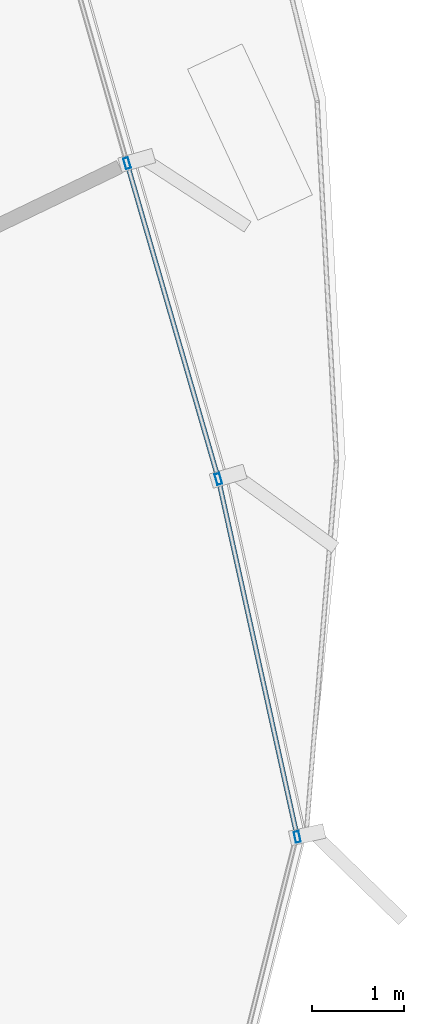
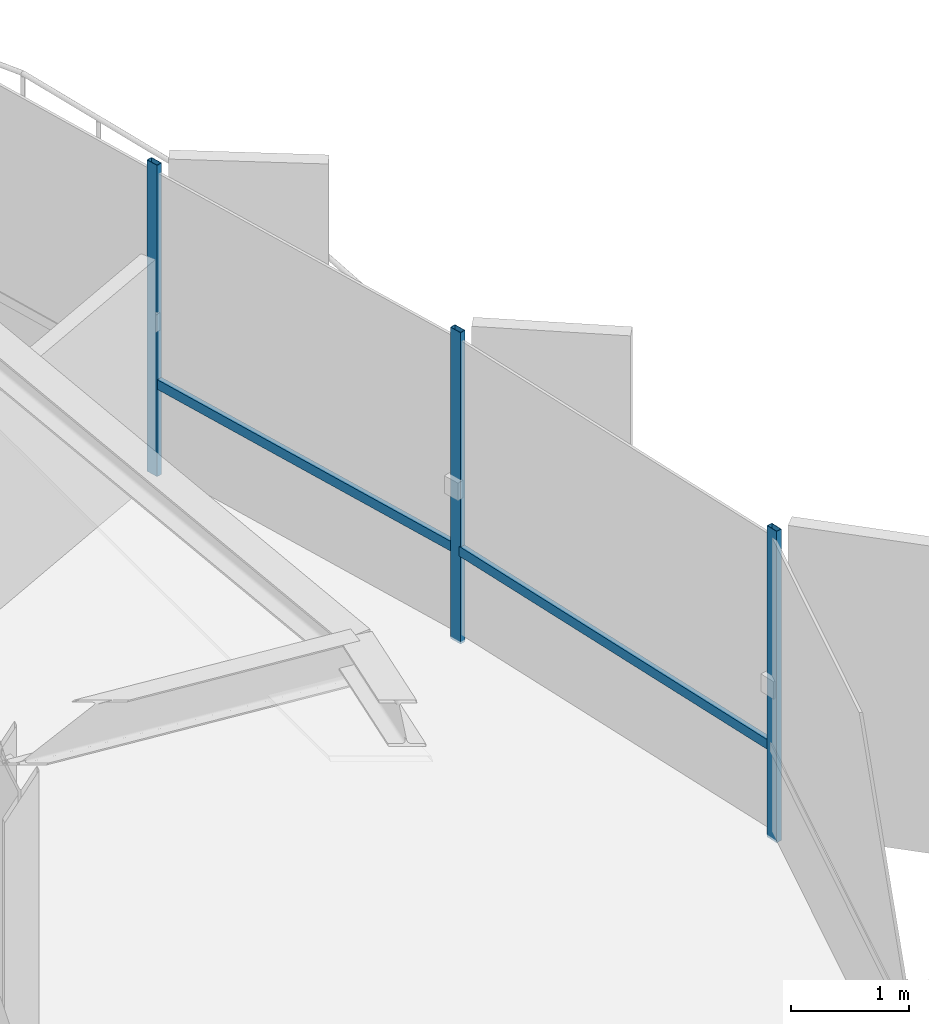
# One storey, part 17 of 34: 5 members, 1 element without a shape of its own.
"""IFC4 building model written with IfcOpenShell, lengths in metres."""

from ifc_helpers import new_model, si_unit, direction, frame, origin, origin_2d, place, context, subcontext, project, spatial, hollow_rectangle, extrude, source, transform, mapped, material, layer, layer_set, material_profile, profile_set, type_object, element, aggregate, save


model = new_model("IFC4")

# Units and contexts
model_context = context("Model", 3, precision=1e-05, world=origin(), true_north=direction((0.0, 1.0)))
body_context = subcontext(model_context, "Body", "Model", "MODEL_VIEW")
ifc_project = project(units=[si_unit("LENGTHUNIT", "METRE"), si_unit("AREAUNIT", "SQUARE_METRE"), si_unit("VOLUMEUNIT", "CUBIC_METRE"), si_unit("PLANEANGLEUNIT", "RADIAN"), si_unit("MASSUNIT", "GRAM", prefix="KILO"), si_unit("THERMODYNAMICTEMPERATUREUNIT", "KELVIN")], contexts=[model_context])

# Site, building, storey
site_placement = place(None, origin())
site = spatial("IfcSite", under=ifc_project, at=site_placement, CompositionType="ELEMENT")
building_placement = place(site_placement, origin())
building = spatial("IfcBuilding", under=site, at=building_placement, Name="Kethvar Cultural Tower", CompositionType="ELEMENT")
storey_placement = place(building_placement, frame((0.0, 0.0, 231.85009765625)))
storey = spatial("IfcBuildingStorey", under=building, at=storey_placement, Name="L60", CompositionType="ELEMENT", Elevation=231.85009765625)

# Curtain wall, members
ifc_material = material(Name="Aluminium 6063-T6", Category="aluminium")
ifc_layer = layer(ifc_material, 0.179931640625, Name="Aluminium 6063-T6", Category="aluminium")
ifc_layer_set = layer_set([ifc_layer], Name="Aluminium 6063-T6 (180 mm)")
curtain_wall_type = type_object("IfcCurtainWallType", Name="CW-SYS-05-Z56", PredefinedType="NOTDEFINED", material=ifc_layer_set)
curtain_wall_placement = place(storey_placement, origin())
curtain_wall = element("IfcCurtainWall", 1, at=curtain_wall_placement, inside=storey, type_object=curtain_wall_type, Name="L60 Curtain Wall Run 06", PredefinedType="NOTDEFINED")
ifc_material_profile_1 = material_profile(ifc_material, hollow_rectangle(XDim=0.054931640625, YDim=0.1201171875, WallThickness=0.00390625, at=origin_2d()), Name="Aluminium 6063-T6 — RHS120x55x4")
ifc_profile_set_1 = profile_set([ifc_material_profile_1], Name="Aluminium 6063-T6 — RHS120x55x4")
member_type_1 = type_object("IfcMemberType", Name="CW-SYS-05-Z56-MUL", PredefinedType="MULLION", material=ifc_profile_set_1)
shared_shape_1 = source(origin(), body_context, "Body", "SweptSolid", [
    extrude(hollow_rectangle(XDim=0.054931640625, YDim=0.1201171875, WallThickness=0.00390625, at=origin_2d()), origin(), (0.0, 0.0, 1.0), 3.2099609375),
])
member_1_placement = place(storey_placement, frame((68.275146484375, 29.9453125, 0.0), z_axis=(0.0, 0.0, 1.0), x_axis=(-0.976559709305, -0.215246682117, 0.0)))
member_1 = element("IfcMember", 2, at=member_1_placement, type_object=member_type_1, Name="CW-L60-R06 Mullion 2", PredefinedType="MULLION", context=body_context, shape_type="MappedRepresentation", body=[
    mapped(shared_shape_1, transform((0.0, 0.0, 0.0), scale=1.0)),
])
member_2_placement = place(storey_placement, frame((67.42236328125, 33.81494140625, 0.0), z_axis=(0.0, 0.0, 1.0), x_axis=(-0.960619273033, -0.277867976343, 0.0)))
member_2 = element("IfcMember", 3, at=member_2_placement, type_object=member_type_1, Name="CW-L60-R06 Mullion 3", PredefinedType="MULLION", context=body_context, shape_type="MappedRepresentation", body=[
    mapped(shared_shape_1, transform((0.0, 0.0, 0.0), scale=1.0)),
])
member_3_placement = place(storey_placement, frame((66.4345703125, 37.230224609375, 0.0), z_axis=(0.0, 0.0, 1.0), x_axis=(-0.961655195264, -0.274261345111, 0.0)))
member_3 = element("IfcMember", 4, at=member_3_placement, type_object=member_type_1, Name="CW-L60-R06 Mullion 4", PredefinedType="MULLION", context=body_context, shape_type="MappedRepresentation", body=[
    mapped(shared_shape_1, transform((0.0, 0.0, 0.0), scale=1.0)),
])
ifc_material_profile_2 = material_profile(ifc_material, hollow_rectangle(XDim=0.050048828125, YDim=0.10009765625, WallThickness=0.00390625, at=origin_2d()), Name="Aluminium 6063-T6 — RHS100x50x4")
ifc_profile_set_2 = profile_set([ifc_material_profile_2], Name="Aluminium 6063-T6 — RHS100x50x4")
member_type_2 = type_object("IfcMemberType", Name="CW-SYS-05-Z56-TRN", PredefinedType="USERDEFINED", material=ifc_profile_set_2)
shared_shape_2 = source(origin(), body_context, "Body", "SweptSolid", [
    extrude(hollow_rectangle(XDim=0.050048828125, YDim=0.10009765625, WallThickness=0.00390625, at=origin_2d()), origin(), (0.0, 0.0, 1.0), 3.8896484375),
])
member_4_placement = place(storey_placement, frame((68.2666015625, 29.98388671875, 0.949951171875), z_axis=(-0.215222171548, 0.976565111436, 0.0), x_axis=(-0.976565111436, -0.215222171548, 0.0)))
member_4 = element("IfcMember", 5, at=member_4_placement, type_object=member_type_2, Name="CW-L60-R06 Transom 2", ObjectType="TRANSOM", PredefinedType="USERDEFINED", context=body_context, shape_type="MappedRepresentation", body=[
    mapped(shared_shape_2, transform((0.0, 0.0, 0.0), scale=1.0)),
])
shared_shape_3 = source(origin(), body_context, "Body", "SweptSolid", [
    extrude(hollow_rectangle(XDim=0.050048828125, YDim=0.10009765625, WallThickness=0.00390625, at=origin_2d()), origin(), (0.0, 0.0, 1.0), 3.475830078125),
])
member_5_placement = place(storey_placement, frame((67.411376953125, 33.85302734375, 0.949951171875), z_axis=(-0.277873873627, 0.96061756717, 0.0), x_axis=(-0.96061756717, -0.277873873627, 0.0)))
member_5 = element("IfcMember", 6, at=member_5_placement, type_object=member_type_2, Name="CW-L60-R06 Transom 3", ObjectType="TRANSOM", PredefinedType="USERDEFINED", context=body_context, shape_type="MappedRepresentation", body=[
    mapped(shared_shape_3, transform((0.0, 0.0, 0.0), scale=1.0)),
])
aggregate(curtain_wall, [member_1, member_2, member_3, member_4, member_5])

save(model, "model.ifc")
